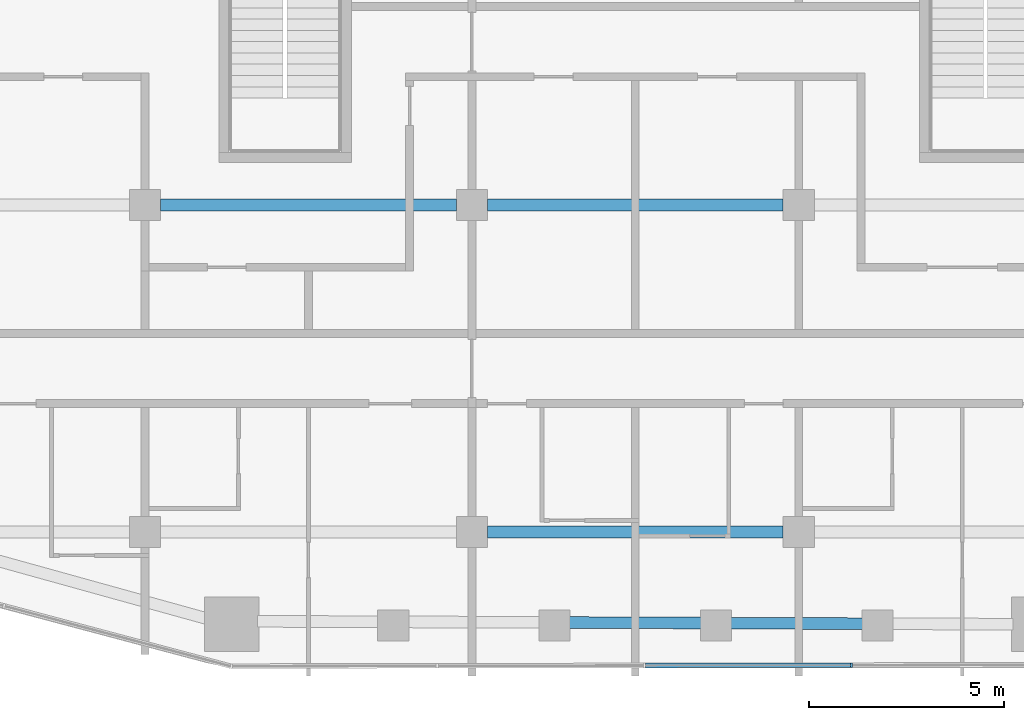
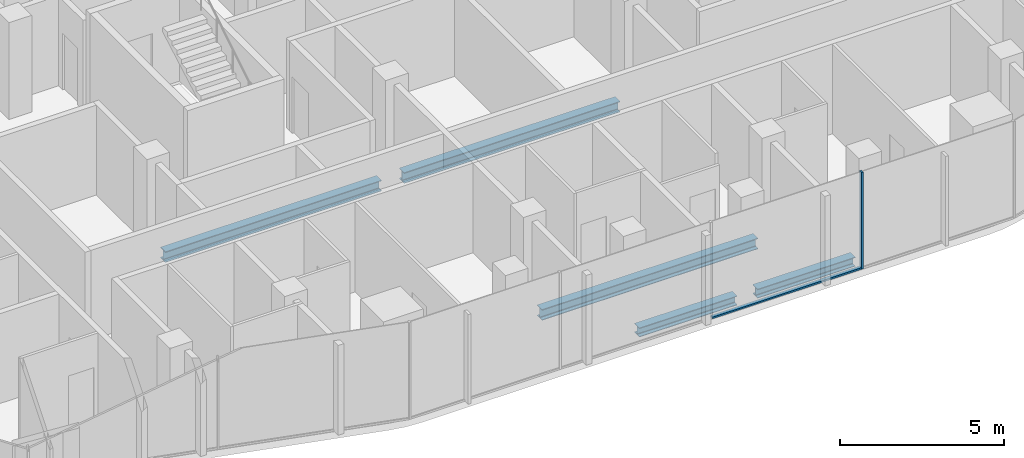
# One storey, part 3 of 22: 5 beams, 2 members, 1 element without a shape of its own.
"""IFC4 building model written with IfcOpenShell, lengths in metres."""

from ifc_helpers import new_model, si_unit, direction, frame, origin, origin_2d, place, context, subcontext, project, spatial, rectangle, i_section, extrude, material, layer, layer_set, material_profile, profile_set, type_object, element, aggregate, save


model = new_model("IFC4")

# Units and contexts
model_context = context("Model", 3, precision=1e-05, world=origin(), true_north=direction((0.0, 1.0)))
body_context = subcontext(model_context, "Body", "Model", "MODEL_VIEW")
ifc_project = project(units=[si_unit("LENGTHUNIT", "METRE"), si_unit("AREAUNIT", "SQUARE_METRE"), si_unit("VOLUMEUNIT", "CUBIC_METRE"), si_unit("PLANEANGLEUNIT", "RADIAN"), si_unit("MASSUNIT", "GRAM", prefix="KILO")], contexts=[model_context])

# Site, building, storey
site_placement = place(None, origin())
site = spatial("IfcSite", under=ifc_project, at=site_placement, CompositionType="ELEMENT")
building_placement = place(site_placement, origin())
building = spatial("IfcBuilding", under=site, at=building_placement, Name="Marenta Gate Hotel Tower", CompositionType="ELEMENT")
storey_placement = place(building_placement, frame((0.0, 0.0, 230.89990234375)))
storey = spatial("IfcBuildingStorey", under=building, at=storey_placement, Name="L54", CompositionType="ELEMENT", Elevation=230.89990234375)

# Beams
ifc_material_1 = material(Name="Steel S355", Category="steel")
ifc_material_profile_1 = material_profile(ifc_material_1, i_section(OverallWidth=0.300048828125, OverallDepth=0.340087890625, WebThickness=0.011962890625, FlangeThickness=0.021484375, FilletRadius=0.027099609375, at=origin_2d()), Name="HEB 340")
ifc_profile_set_1 = profile_set([ifc_material_profile_1], Name="Steel S355")
beam_type_1 = type_object("IfcBeamType", Name="Edge beam HEB 340", PredefinedType="SPANDREL", material=ifc_profile_set_1)
for number, where, z_axis, x_axis, name in (
    (1, (5.860107421875, -27.555419921875, -0.429931640625), (-0.999992599416, 0.003847221457, 0.0), (-0.003847221457, -0.999992599416, 0.0), "L54-EB-33"),
    (2, (1.71337890625, -27.539306640625, -0.429931640625), (-0.999992599416, 0.003847221457, 0.0), (-0.003847221457, -0.999992599416, 0.0), "L54-EB-34"),
):
    element("IfcBeam", number, at=place(storey_placement, frame(where, z_axis=z_axis, x_axis=x_axis)), inside=storey, type_object=beam_type_1, Name=name, PredefinedType="SPANDREL", context=body_context, shape_type="SweptSolid", body=[
        extrude(i_section(OverallWidth=0.300048828125, OverallDepth=0.340087890625, WebThickness=0.011962890625, FlangeThickness=0.021484375, FilletRadius=0.027099609375, at=origin_2d()), origin(), (0.0, 0.0, 1.0), 3.4267578125),
    ])
ifc_material_2 = material(Name="Steel S355", Category="steel")
ifc_material_profile_2 = material_profile(ifc_material_2, i_section(OverallWidth=0.300048828125, OverallDepth=0.39990234375, WebThickness=0.013427734375, FlangeThickness=0.02392578125, FilletRadius=0.027099609375, at=origin_2d()), Name="HEB 400")
ifc_profile_set_2 = profile_set([ifc_material_profile_2], Name="Steel S355")
beam_type_2 = type_object("IfcBeamType", Name="Girder HEB 400", PredefinedType="BEAM", material=ifc_profile_set_2)
beam_1_placement = place(storey_placement, frame((-3.800048828125, -25.199951171875, -0.4599609375), z_axis=(1.0, 0.0, 0.0), x_axis=(0.0, 1.0, 0.0)))
element("IfcBeam", 3, at=beam_1_placement, inside=storey, type_object=beam_type_2, Name="L54-GD-3", PredefinedType="BEAM", context=body_context, shape_type="SweptSolid", body=[
    extrude(i_section(OverallWidth=0.300048828125, OverallDepth=0.39990234375, WebThickness=0.013427734375, FlangeThickness=0.02392578125, FilletRadius=0.027099609375, at=origin_2d()), origin(), (0.0, 0.0, 1.0), 7.60009765625),
])
beam_2_placement = place(storey_placement, frame((-12.199951171875, -16.800048828125, -0.4599609375), z_axis=(1.0, 0.0, 0.0), x_axis=(0.0, 1.0, 0.0)))
element("IfcBeam", 4, at=beam_2_placement, inside=storey, type_object=beam_type_2, Name="L54-GD-8", PredefinedType="BEAM", context=body_context, shape_type="SweptSolid", body=[
    extrude(i_section(OverallWidth=0.300048828125, OverallDepth=0.39990234375, WebThickness=0.013427734375, FlangeThickness=0.02392578125, FilletRadius=0.027099609375, at=origin_2d()), origin(), (0.0, 0.0, 1.0), 7.599853515625),
])
beam_3_placement = place(storey_placement, frame((-3.800048828125, -16.800048828125, -0.4599609375), z_axis=(1.0, 0.0, 0.0), x_axis=(0.0, 1.0, 0.0)))
element("IfcBeam", 5, at=beam_3_placement, inside=storey, type_object=beam_type_2, Name="L54-GD-9", PredefinedType="BEAM", context=body_context, shape_type="SweptSolid", body=[
    extrude(i_section(OverallWidth=0.300048828125, OverallDepth=0.39990234375, WebThickness=0.013427734375, FlangeThickness=0.02392578125, FilletRadius=0.027099609375, at=origin_2d()), origin(), (0.0, 0.0, 1.0), 7.60009765625),
])

# Curtain wall, members
ifc_material_3 = material(Name="Tinted insulated glass in bronze anodised frame", Category="glass")
ifc_layer = layer(ifc_material_3, 0.1201171875)
ifc_layer_set = layer_set([ifc_layer], Name="Tinted insulated glass in bronze anodised frame")
curtain_wall_type = type_object("IfcCurtainWallType", Name="Tower unitised curtain wall CW1", PredefinedType="NOTDEFINED", material=ifc_layer_set)
curtain_wall_placement = place(storey_placement, origin())
curtain_wall = element("IfcCurtainWall", 6, at=curtain_wall_placement, inside=storey, type_object=curtain_wall_type, Name="CW1 run G07", PredefinedType="NOTDEFINED")
ifc_material_4 = material(Name="Bronze anodised aluminium", Category="aluminium")
ifc_material_profile_3 = material_profile(ifc_material_4, rectangle(XDim=0.1201171875, YDim=0.06005859375, at=origin_2d()), Name="Mullion CW1 60x120 bronze anodised aluminium")
ifc_profile_set_3 = profile_set([ifc_material_profile_3], Name="Bronze anodised aluminium")
member_type_1 = type_object("IfcMemberType", Name="Mullion CW1 60x120 bronze anodised aluminium", PredefinedType="MULLION", material=ifc_profile_set_3)
member_1_placement = place(storey_placement, frame((5.5537109375, -28.621337890625, 0.0), z_axis=(0.0, 0.0, 1.0), x_axis=(-0.001644757804, 0.999998647385, 0.0)))
member_1 = element("IfcMember", 7, at=member_1_placement, type_object=member_type_1, Name="CW1 mullion 4", PredefinedType="MULLION", context=body_context, shape_type="SweptSolid", body=[
    extrude(rectangle(XDim=0.1201171875, YDim=0.06005859375, at=origin_2d()), origin(), (0.0, 0.0, 1.0), 3.60009765625),
])
ifc_material_5 = material(Name="Bronze anodised aluminium", Category="aluminium")
ifc_material_profile_4 = material_profile(ifc_material_5, rectangle(XDim=0.1201171875, YDim=0.06005859375, at=origin_2d()), Name="Transom CW1 60x120 bronze anodised aluminium")
ifc_profile_set_4 = profile_set([ifc_material_profile_4], Name="Bronze anodised aluminium")
member_type_2 = type_object("IfcMemberType", Name="Transom CW1 60x120 bronze anodised aluminium", PredefinedType="USERDEFINED", material=ifc_profile_set_4)
member_2_placement = place(storey_placement, frame((0.263916015625, -28.6298828125, 0.030029296875), z_axis=(0.999998680369, 0.001624580106, 0.0), x_axis=(-0.001624580106, 0.999998680369, 0.0)))
member_2 = element("IfcMember", 8, at=member_2_placement, type_object=member_type_2, Name="CW1 transom 3.1", ObjectType="TRANSOM", PredefinedType="USERDEFINED", context=body_context, shape_type="SweptSolid", body=[
    extrude(rectangle(XDim=0.1201171875, YDim=0.06005859375, at=origin_2d()), origin(), (0.0, 0.0, 1.0), 5.259765625),
])
aggregate(curtain_wall, [member_1, member_2])

save(model, "model.ifc")
